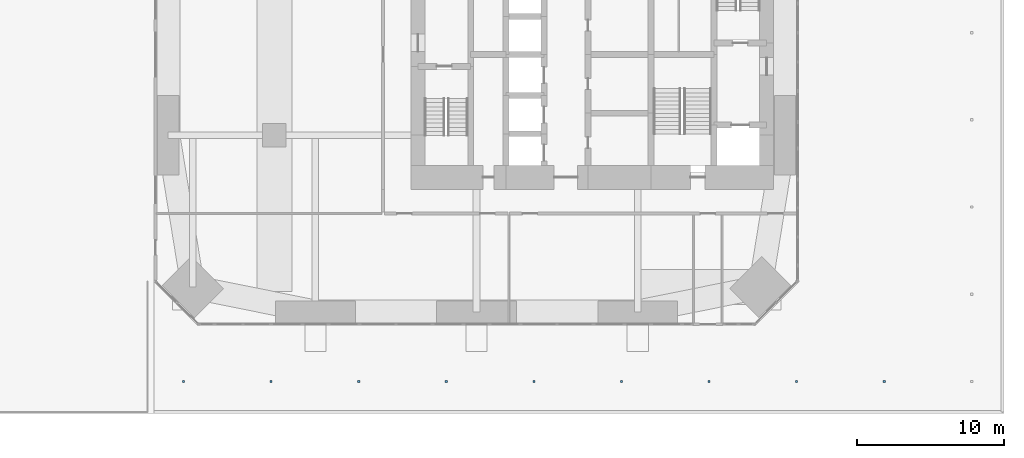
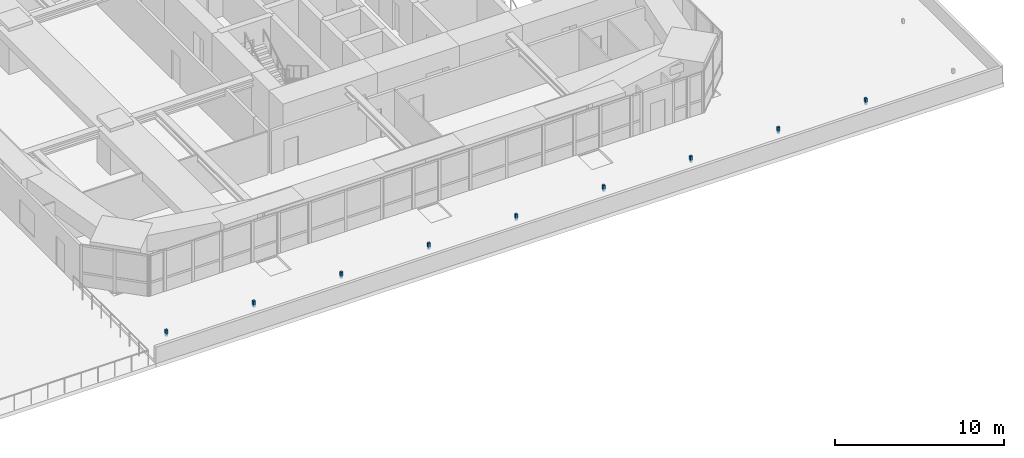
# One storey, part 17 of 20: 9 discrete accessories.
"""IFC4 building model written with IfcOpenShell, lengths in metres."""

from ifc_helpers import new_model, si_unit, direction, frame, origin, origin_2d, place, context, subcontext, project, spatial, rectangle, extrude, material, type_object, element, save


model = new_model("IFC4")

# Units and contexts
model_context = context("Model", 3, precision=1e-05, world=origin(), true_north=direction((0.0, 1.0)))
body_context = subcontext(model_context, "Body", "Model", "MODEL_VIEW")
ifc_project = project(units=[si_unit("LENGTHUNIT", "METRE"), si_unit("AREAUNIT", "SQUARE_METRE"), si_unit("VOLUMEUNIT", "CUBIC_METRE"), si_unit("PLANEANGLEUNIT", "RADIAN"), si_unit("MASSUNIT", "GRAM", prefix="KILO")], contexts=[model_context])

# Site, building, storey
site_placement = place(None, origin())
site = spatial("IfcSite", under=ifc_project, at=site_placement, CompositionType="ELEMENT")
building_placement = place(site_placement, origin())
building = spatial("IfcBuilding", under=site, at=building_placement, Name="Jalousie Tower", CompositionType="ELEMENT")
storey_placement = place(building_placement, frame((0.0, 0.0, 21.0)))
storey = spatial("IfcBuildingStorey", under=building, at=storey_placement, Name="L04", CompositionType="ELEMENT", Elevation=21.0)

# Discrete accessories
ifc_material = material(Name="Stainless steel AISI 316", Category="steel")
discrete_accessory_type = type_object("IfcDiscreteAccessoryType", Name="FALL ARREST ANCHOR POST", PredefinedType="USERDEFINED", material=ifc_material)
for number, where, z_axis, x_axis, name in (
    (1, (4.0, -3.800048828125, 0.0), (0.0, 0.0, 1.0), (1.0, 0.0, 0.0), "Fall arrest anchor 1, maintenance only"),
    (2, (9.977783203125, -3.800048828125, 0.0), (0.0, 0.0, 1.0), (1.0, 0.0, 0.0), "Fall arrest anchor 2, maintenance only"),
    (3, (15.95556640625, -3.800048828125, 0.0), (0.0, 0.0, 1.0), (1.0, 0.0, 0.0), "Fall arrest anchor 3, maintenance only"),
    (4, (21.933349609375, -3.800048828125, 0.0), (0.0, 0.0, 1.0), (1.0, 0.0, 0.0), "Fall arrest anchor 4, maintenance only"),
    (5, (27.9111328125, -3.800048828125, 0.0), (0.0, 0.0, 1.0), (1.0, 0.0, 0.0), "Fall arrest anchor 5, maintenance only"),
    (6, (33.888916015625, -3.800048828125, 0.0), (0.0, 0.0, 1.0), (1.0, 0.0, 0.0), "Fall arrest anchor 6, maintenance only"),
    (7, (39.86669921875, -3.800048828125, 0.0), (0.0, 0.0, 1.0), (1.0, 0.0, 0.0), "Fall arrest anchor 7, maintenance only"),
    (8, (45.844482421875, -3.800048828125, 0.0), (0.0, 0.0, 1.0), (1.0, 0.0, 0.0), "Fall arrest anchor 8, maintenance only"),
    (9, (51.822265625, -3.800048828125, 0.0), (0.0, 0.0, 1.0), (1.0, 0.0, 0.0), "Fall arrest anchor 9, maintenance only"),
):
    element("IfcDiscreteAccessory", number, at=place(storey_placement, frame(where, z_axis=z_axis, x_axis=x_axis)), inside=storey, type_object=discrete_accessory_type, Name=name, ObjectType="FALL ARREST ANCHOR", PredefinedType="USERDEFINED", context=body_context, shape_type="SweptSolid", body=[
        extrude(rectangle(XDim=0.14990234375, YDim=0.14990234375, at=origin_2d()), origin(), (0.0, 0.0, 1.0), 0.449951171875),
    ])

save(model, "model.ifc")
